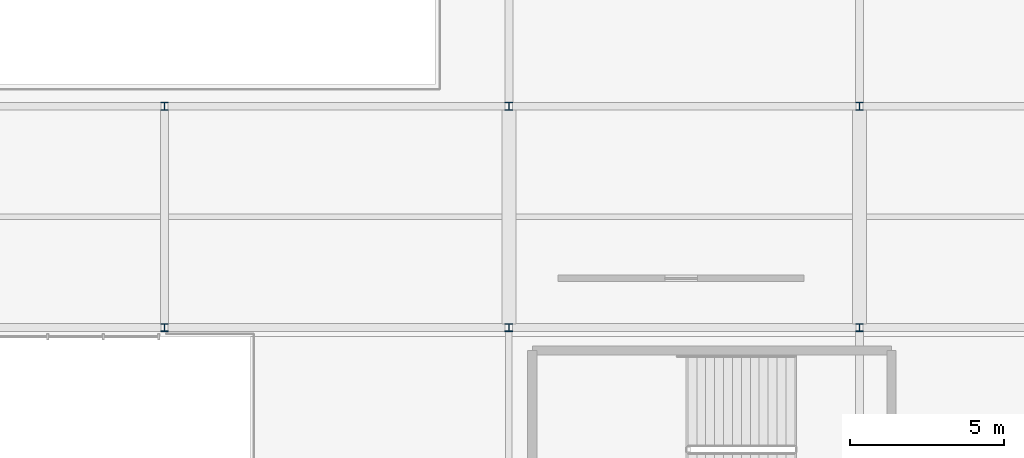
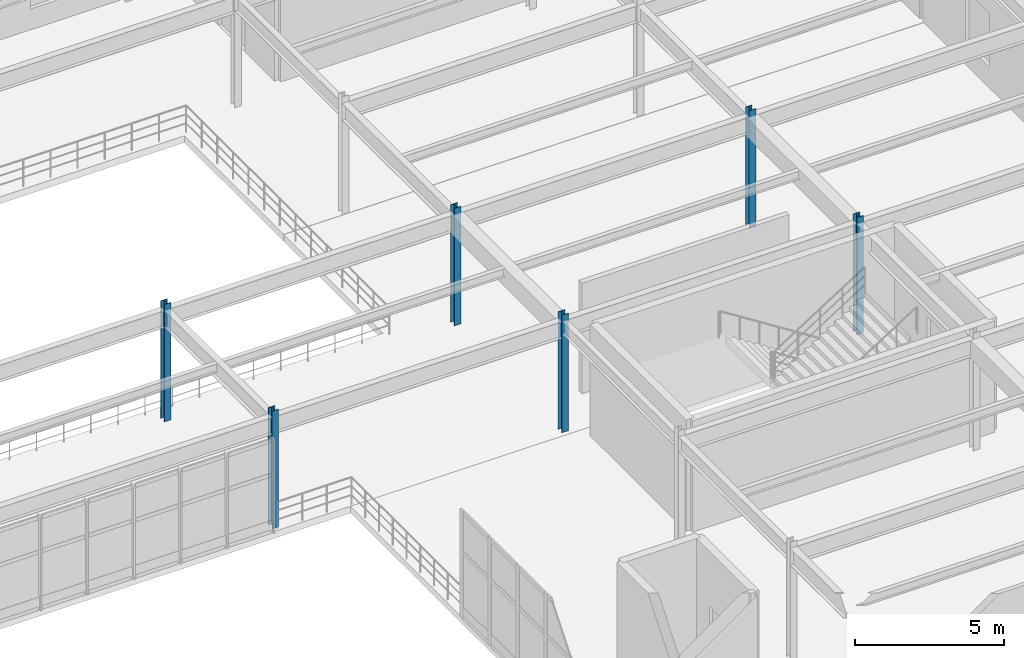
# One storey, part 26 of 144: 6 columns.
"""IFC4 building model written with IfcOpenShell, lengths in metres."""

from ifc_helpers import new_model, si_unit, direction, frame, origin, origin_2d, place, context, subcontext, project, spatial, i_section, extrude, material, material_profile, profile_set, type_object, element, save


model = new_model("IFC4")

# Units and contexts
model_context = context("Model", 3, precision=1e-05, world=origin(), true_north=direction((0.0, 1.0)))
body_context = subcontext(model_context, "Body", "Model", "MODEL_VIEW")
ifc_project = project(units=[si_unit("LENGTHUNIT", "METRE"), si_unit("AREAUNIT", "SQUARE_METRE"), si_unit("VOLUMEUNIT", "CUBIC_METRE"), si_unit("PLANEANGLEUNIT", "RADIAN"), si_unit("MASSUNIT", "GRAM", prefix="KILO")], contexts=[model_context])

# Site, building, storey
site_placement = place(None, origin())
site = spatial("IfcSite", under=ifc_project, at=site_placement, CompositionType="ELEMENT")
building_placement = place(site_placement, origin())
building = spatial("IfcBuilding", under=site, at=building_placement, Name="Cinderbank Siding Concert Hall", CompositionType="ELEMENT")
storey_placement = place(building_placement, frame((0.0, 0.0, 5.39990234375)))
storey = spatial("IfcBuildingStorey", under=building, at=storey_placement, Name="L02", CompositionType="ELEMENT", Elevation=5.39990234375)

# Columns
ifc_material = material(Name="Structural steel AS/NZS 3679.1 Grade 350 (340 MPa)", Category="steel")
ifc_material_profile = material_profile(ifc_material, i_section(OverallWidth=0.256103515625, OverallDepth=0.260009765625, WebThickness=0.010498046875, FlangeThickness=0.017333984375, at=origin_2d()), Name="250UC89.5", Category="LoadBearing")
ifc_profile_set = profile_set([ifc_material_profile], Name="Structural steel AS/NZS 3679.1 Grade 350 (340 MPa)")
column_type = type_object("IfcColumnType", Name="C-UC250H 250UC89.5", PredefinedType="COLUMN", material=ifc_profile_set)
for number, where, z_axis, x_axis, name in (
    (1, (139.199951171875, 88.60009765625, 0.0), (0.0, 0.0, 1.0), (1.0, 0.0, 0.0), "L02 Column COL-V3-3-1"),
    (2, (139.199951171875, 95.800048828125, 0.0), (0.0, 0.0, 1.0), (1.0, 0.0, 0.0), "L02 Column COL-V3-3-2"),
    (3, (150.39990234375, 88.60009765625, 0.0), (0.0, 0.0, 1.0), (1.0, 0.0, 0.0), "L02 Column COL-V3-4-1"),
    (4, (150.39990234375, 95.800048828125, 0.0), (0.0, 0.0, 1.0), (1.0, 0.0, 0.0), "L02 Column COL-V3-4-2"),
    (5, (161.800048828125, 88.60009765625, 0.0), (0.0, 0.0, 1.0), (1.0, 0.0, 0.0), "L02 Column COL-V3-5-1"),
    (6, (161.800048828125, 95.800048828125, 0.0), (0.0, 0.0, 1.0), (1.0, 0.0, 0.0), "L02 Column COL-V3-5-2"),
):
    element("IfcColumn", number, at=place(storey_placement, frame(where, z_axis=z_axis, x_axis=x_axis)), inside=storey, type_object=column_type, Name=name, PredefinedType="COLUMN", context=body_context, shape_type="SweptSolid", body=[
        extrude(i_section(OverallWidth=0.256103515625, OverallDepth=0.260009765625, WebThickness=0.010498046875, FlangeThickness=0.017333984375, at=origin_2d()), origin(), (0.0, 0.0, 1.0), 4.800048828125),
    ])

save(model, "model.ifc")
